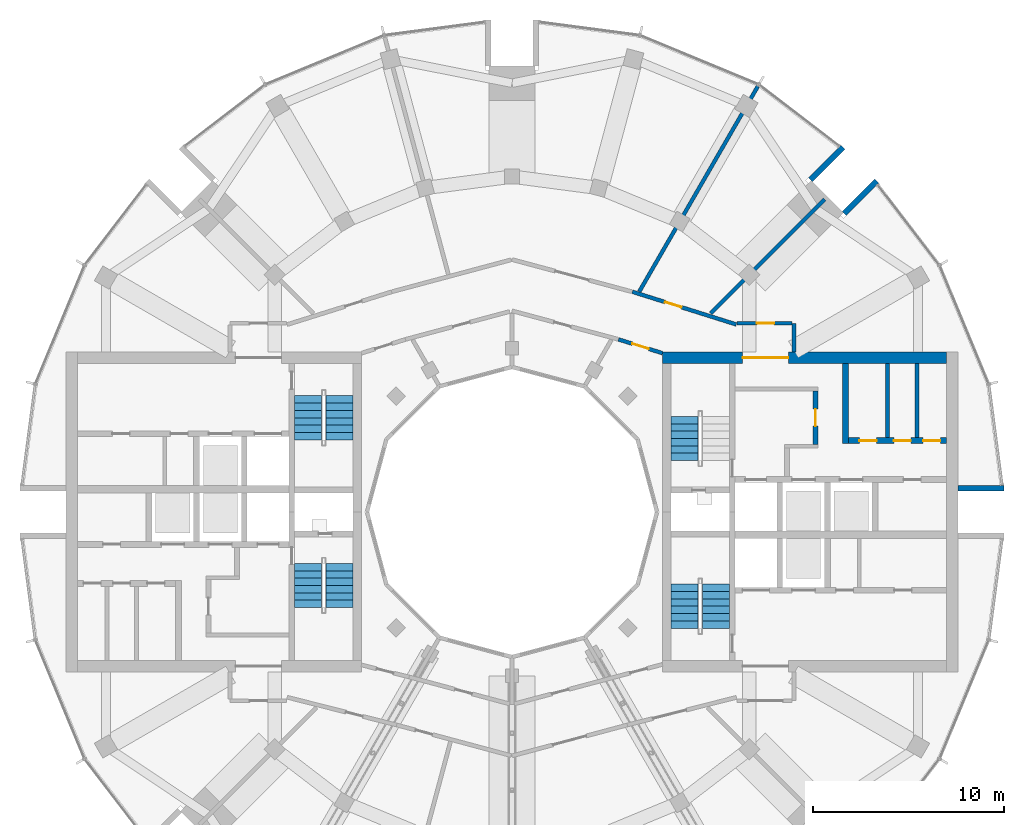
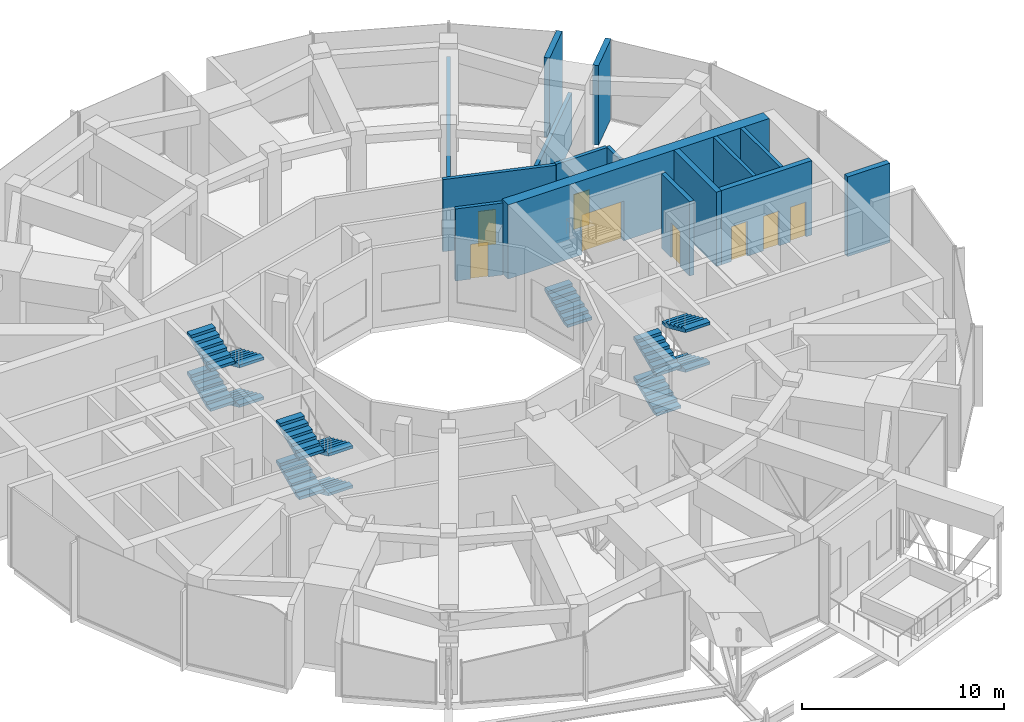
# One storey, part 14 of 17: 15 walls, 13 stair flights, 8 doors, 8 openings, 4 elements without a shape of their own.
"""IFC4 building model written with IfcOpenShell, lengths in metres."""

from ifc_helpers import new_model, si_unit, direction, frame, frame_2d, origin, place, context, subcontext, project, spatial, polyline, rectangle, outline, extrude, material, layer, layer_set, type_object, element, fill, aggregate, save


model = new_model("IFC4")

# Units and contexts
model_context = context("Model", 3, precision=1e-05, world=origin(), true_north=direction((0.0, 1.0)))
body_context = subcontext(model_context, "Body", "Model", "MODEL_VIEW")
ifc_project = project(units=[si_unit("LENGTHUNIT", "METRE"), si_unit("AREAUNIT", "SQUARE_METRE"), si_unit("VOLUMEUNIT", "CUBIC_METRE"), si_unit("PLANEANGLEUNIT", "RADIAN"), si_unit("MASSUNIT", "GRAM", prefix="KILO")], contexts=[model_context])

# Site, building, storey
site_placement = place(None, origin())
site = spatial("IfcSite", under=ifc_project, at=site_placement, CompositionType="ELEMENT")
building_placement = place(site_placement, origin())
building = spatial("IfcBuilding", under=site, at=building_placement, Name="Torre Brocal", CompositionType="ELEMENT")
storey_placement = place(building_placement, frame((0.0, 0.0, 270.89990234375)))
storey = spatial("IfcBuildingStorey", under=building, at=storey_placement, Name="L62", CompositionType="ELEMENT", Elevation=270.89990234375)

# Walls
ifc_material_1 = material(Name="Masonry block", Category="masonry")
ifc_layer_1 = layer(ifc_material_1, 0.199951171875)
ifc_layer_set_1 = layer_set([ifc_layer_1], Name="Masonry block")
wall_type_1 = type_object("IfcWallType", Name="CORE PARTITION 200", PredefinedType="PARTITIONING", material=ifc_layer_set_1)
for number, where, z_axis, x_axis, name in (
    (1, (99.7099609375, 78.89990234375, 0.0), (0.0, 0.0, 1.0), (0.0, 1.0, 0.0), "Wall CP200"),
    (2, (101.2548828125, 78.89990234375, 0.0), (0.0, 0.0, 1.0), (0.0, 1.0, 0.0), "Wall CP200"),
):
    element("IfcWall", number, at=place(storey_placement, frame(where, z_axis=z_axis, x_axis=x_axis)), inside=storey, type_object=wall_type_1, Name=name, PredefinedType="PARTITIONING", context=body_context, shape_type="SweptSolid", body=[
        extrude(rectangle(XDim=3.900146484375, YDim=0.199951171875, at=frame_2d((1.9501953125, 0.0))), origin(), (0.0, 0.0, 1.0), 4.47998046875),
    ])

# Wall, opening, door
ifc_material_2 = material(Name="Concrete C60", Category="concrete")
ifc_layer_2 = layer(ifc_material_2, 0.25)
ifc_layer_set_2 = layer_set([ifc_layer_2], Name="Concrete C60")
wall_type_2 = type_object("IfcWallType", Name="CORE WALL 250 C60", PredefinedType="SHEAR", material=ifc_layer_set_2)
wall_1_placement = place(storey_placement, frame((95.925048828125, 78.550048828125, 0.0), z_axis=(0.0, 0.0, 1.0), x_axis=(0.0, 1.0, 0.0)))
wall_1 = element("IfcWall", 3, at=wall_1_placement, inside=storey, type_object=wall_type_2, Name="Wall CW250-60", PredefinedType="SHEAR", context=body_context, shape_type="SweptSolid", body=[
    extrude(rectangle(XDim=2.800048828125, YDim=0.25, at=frame_2d((1.39990234375, 0.0))), origin(), (0.0, 0.0, 1.0), 4.47998046875),
])
opening_1_placement = place(wall_1_placement, frame((0.949951171875, 0.0, 0.0)))
opening_1 = element("IfcOpeningElement", 4, at=opening_1_placement, cuts=wall_1, Name="Opening E-D26", PredefinedType="OPENING", context=body_context, shape_type="SweptSolid", body=[
    extrude(rectangle(XDim=0.89990234375, YDim=2.10009765625, at=frame_2d((0.449951171875, 1.050048828125))), frame((0.0, 0.135009765625, 0.0), z_axis=(0.0, -1.0, 0.0), x_axis=(1.0, 0.0, 0.0)), (0.0, 0.0, 1.0), 0.27001953125),
])
ifc_material_3 = material(Name="Steel A653", Category="steel")
door_type_1 = type_object("IfcDoorType", Name="LOBBY DOOR FD120 900X2100", OperationType="SINGLE_SWING_RIGHT", PredefinedType="DOOR", material=ifc_material_3)
door_1_placement = place(opening_1_placement, origin())
door_1 = element("IfcDoor", 5, at=door_1_placement, inside=storey, type_object=door_type_1, Name="Door E-D26", OperationType="SINGLE_SWING_LEFT", OverallHeight=2.10009765625, OverallWidth=0.89990234375, PredefinedType="DOOR", context=body_context, shape_type="SweptSolid", body=[
    extrude(rectangle(XDim=0.89990234375, YDim=2.10009765625, at=frame_2d((0.449951171875, 1.050048828125))), frame((0.0, 0.02490234375, 0.0), z_axis=(0.0, -1.0, 0.0), x_axis=(1.0, 0.0, 0.0)), (0.0, 0.0, 1.0), 0.050048828125),
])
fill(opening_1, door_1)

# Wall
ifc_material_4 = material(Name="Concrete C60", Category="concrete")
ifc_layer_3 = layer(ifc_material_4, 0.300048828125)
ifc_layer_set_3 = layer_set([ifc_layer_3], Name="Concrete C60")
wall_type_3 = type_object("IfcWallType", Name="CORE WALL 300 C60", PredefinedType="SHEAR", material=ifc_layer_set_3)
wall_2_placement = place(storey_placement, frame((97.5, 78.60009765625, 0.0), z_axis=(0.0, 0.0, 1.0), x_axis=(0.0, 1.0, 0.0)))
element("IfcWall", 6, at=wall_2_placement, inside=storey, type_object=wall_type_3, Name="Wall CW300-60", PredefinedType="SHEAR", context=body_context, shape_type="SweptSolid", body=[
    extrude(rectangle(XDim=4.199951171875, YDim=0.300048828125, at=frame_2d((2.10009765625, 0.0))), origin(), (0.0, 0.0, 1.0), 4.47998046875),
])

# Wall, openings, doors
wall_3_placement = place(storey_placement, frame((97.64990234375, 78.75, 0.0), z_axis=(0.0, 0.0, 1.0), x_axis=(1.0, 0.0, 0.0)))
wall_3 = element("IfcWall", 7, at=wall_3_placement, inside=storey, type_object=wall_type_3, Name="Wall CW300-60", PredefinedType="SHEAR", context=body_context, shape_type="SweptSolid", body=[
    extrude(rectangle(XDim=5.150146484375, YDim=0.300048828125, at=frame_2d((2.5751953125, 0.0))), origin(), (0.0, 0.0, 1.0), 4.47998046875),
])
opening_2_placement = place(wall_3_placement, frame((0.580078125, 0.0, 0.0)))
opening_2 = element("IfcOpeningElement", 8, at=opening_2_placement, cuts=wall_3, Name="Opening E-D28", PredefinedType="OPENING", context=body_context, shape_type="SweptSolid", body=[
    extrude(rectangle(XDim=0.89990234375, YDim=2.10009765625, at=frame_2d((0.449951171875, 1.050048828125))), frame((0.0, 0.159912109375, 0.0), z_axis=(0.0, -1.0, 0.0), x_axis=(1.0, 0.0, 0.0)), (0.0, 0.0, 1.0), 0.320068359375),
])
opening_3_placement = place(wall_3_placement, frame((2.382568359375, 0.0, 0.0)))
opening_3 = element("IfcOpeningElement", 9, at=opening_3_placement, cuts=wall_3, Name="Opening E-D09", PredefinedType="OPENING", context=body_context, shape_type="SweptSolid", body=[
    extrude(rectangle(XDim=0.89990234375, YDim=2.10009765625, at=frame_2d((0.449951171875, 1.050048828125))), frame((0.0, 0.159912109375, 0.0), z_axis=(0.0, -1.0, 0.0), x_axis=(1.0, 0.0, 0.0)), (0.0, 0.0, 1.0), 0.320068359375),
])
opening_4_placement = place(wall_3_placement, frame((3.927490234375, 0.0, 0.0)))
opening_4 = element("IfcOpeningElement", 10, at=opening_4_placement, cuts=wall_3, Name="Opening E-D10", PredefinedType="OPENING", context=body_context, shape_type="SweptSolid", body=[
    extrude(rectangle(XDim=0.89990234375, YDim=2.10009765625, at=frame_2d((0.449951171875, 1.050048828125))), frame((0.0, 0.159912109375, 0.0), z_axis=(0.0, -1.0, 0.0), x_axis=(1.0, 0.0, 0.0)), (0.0, 0.0, 1.0), 0.320068359375),
])
ifc_material_5 = material(Name="Steel A653", Category="steel")
door_type_2 = type_object("IfcDoorType", Name="ROOM DOOR FD30S 900X2100", OperationType="SINGLE_SWING_LEFT", PredefinedType="DOOR", material=ifc_material_5)
door_2_placement = place(opening_2_placement, origin())
door_2 = element("IfcDoor", 11, at=door_2_placement, inside=storey, type_object=door_type_2, Name="Door E-D28", OperationType="SINGLE_SWING_RIGHT", OverallHeight=2.10009765625, OverallWidth=0.89990234375, PredefinedType="DOOR", context=body_context, shape_type="SweptSolid", body=[
    extrude(rectangle(XDim=0.89990234375, YDim=2.10009765625, at=frame_2d((0.449951171875, 1.050048828125))), frame((0.0, 0.02490234375, 0.0), z_axis=(0.0, -1.0, 0.0), x_axis=(1.0, 0.0, 0.0)), (0.0, 0.0, 1.0), 0.050048828125),
])
fill(opening_2, door_2)
door_3_placement = place(opening_3_placement, origin())
door_3 = element("IfcDoor", 12, at=door_3_placement, inside=storey, type_object=door_type_2, Name="Door E-D09", OperationType="SINGLE_SWING_RIGHT", OverallHeight=2.10009765625, OverallWidth=0.89990234375, PredefinedType="DOOR", context=body_context, shape_type="SweptSolid", body=[
    extrude(rectangle(XDim=0.89990234375, YDim=2.10009765625, at=frame_2d((0.449951171875, 1.050048828125))), frame((0.0, 0.02490234375, 0.0), z_axis=(0.0, -1.0, 0.0), x_axis=(1.0, 0.0, 0.0)), (0.0, 0.0, 1.0), 0.050048828125),
])
fill(opening_3, door_3)
door_4_placement = place(opening_4_placement, origin())
door_4 = element("IfcDoor", 13, at=door_4_placement, inside=storey, type_object=door_type_2, Name="Door E-D10", OperationType="SINGLE_SWING_LEFT", OverallHeight=2.10009765625, OverallWidth=0.89990234375, PredefinedType="DOOR", context=body_context, shape_type="SweptSolid", body=[
    extrude(rectangle(XDim=0.89990234375, YDim=2.10009765625, at=frame_2d((0.449951171875, 1.050048828125))), frame((0.0, 0.02490234375, 0.0), z_axis=(0.0, -1.0, 0.0), x_axis=(1.0, 0.0, 0.0)), (0.0, 0.0, 1.0), 0.050048828125),
])
fill(opening_4, door_4)

# Wall, opening, door
ifc_material_6 = material(Name="Concrete C60", Category="concrete")
ifc_layer_4 = layer(ifc_material_6, 0.60009765625)
ifc_layer_set_4 = layer_set([ifc_layer_4], Name="Concrete C60")
wall_type_4 = type_object("IfcWallType", Name="CORE WALL 600 C60", PredefinedType="SHEAR", material=ifc_layer_set_4)
wall_4_placement = place(storey_placement, frame((87.89990234375, 83.10009765625, 0.0), z_axis=(0.0, 0.0, 1.0), x_axis=(1.0, 0.0, 0.0)))
wall_4 = element("IfcWall", 14, at=wall_4_placement, inside=storey, type_object=wall_type_4, Name="Wall CW600-60", PredefinedType="SHEAR", context=body_context, shape_type="SweptSolid", body=[
    extrude(rectangle(XDim=14.900146484375, YDim=0.60009765625, at=frame_2d((7.4501953125, 0.0))), origin(), (0.0, 0.0, 1.0), 4.47998046875),
])
opening_5_placement = place(wall_4_placement, frame((4.199951171875, 0.0, 0.0)))
opening_5 = element("IfcOpeningElement", 15, at=opening_5_placement, cuts=wall_4, Name="Opening E-D34", PredefinedType="OPENING", context=body_context, shape_type="SweptSolid", body=[
    extrude(rectangle(XDim=2.39990234375, YDim=2.39990234375, at=frame_2d((1.199951171875, 1.199951171875))), frame((0.0, 0.31005859375, 0.0), z_axis=(0.0, -1.0, 0.0), x_axis=(1.0, 0.0, 0.0)), (0.0, 0.0, 1.0), 0.6201171875),
])
ifc_material_7 = material(Name="Steel A653", Category="steel")
door_type_3 = type_object("IfcDoorType", Name="DOUBLE FIRE DOOR FD90 2400X2400", OperationType="DOUBLE_DOOR_SINGLE_SWING", PredefinedType="DOOR", material=ifc_material_7)
door_5_placement = place(opening_5_placement, frame((2.39990234375, 0.0, 0.0), z_axis=(0.0, 0.0, 1.0), x_axis=(-1.0, 0.0, 0.0)))
door_5 = element("IfcDoor", 16, at=door_5_placement, inside=storey, type_object=door_type_3, Name="Door E-D34", OperationType="DOUBLE_DOOR_SINGLE_SWING", OverallHeight=2.39990234375, OverallWidth=2.39990234375, PredefinedType="DOOR", context=body_context, shape_type="SweptSolid", body=[
    extrude(rectangle(XDim=2.39990234375, YDim=2.39990234375, at=frame_2d((1.199951171875, 1.199951171875))), frame((0.0, 0.02490234375, 0.0), z_axis=(0.0, -1.0, 0.0), x_axis=(1.0, 0.0, 0.0)), (0.0, 0.0, 1.0), 0.050048828125),
])
fill(opening_5, door_5)

# Walls
ifc_material_8 = material(Name="Concrete C60", Category="concrete")
ifc_layer_5 = layer(ifc_material_8, 0.300048828125)
ifc_layer_set_5 = layer_set([ifc_layer_5], Name="Concrete C60")
wall_type_5 = type_object("IfcWallType", Name="NOTCH RETURN WALL 300 C60", PredefinedType="NOTDEFINED", material=ifc_layer_set_5)
for number, where, z_axis, x_axis, name in (
    (17, (103.39990234375, 76.25, 0.0), (0.0, 0.0, 1.0), (1.0, 0.0, 0.0), "NOTCH RETURN WALL"),
    (18, (97.43017578125, 90.662353515625, 0.0), (0.0, 0.0, 1.0), (0.707106781187, 0.707106781187, 0.0), "NOTCH RETURN WALL"),
    (19, (95.662353515625, 92.43017578125, 0.0), (0.0, 0.0, 1.0), (0.707106781187, 0.707106781187, 0.0), "NOTCH RETURN WALL"),
):
    element("IfcWall", number, at=place(storey_placement, frame(where, z_axis=z_axis, x_axis=x_axis)), inside=storey, type_object=wall_type_5, Name=name, PredefinedType="NOTDEFINED", context=body_context, shape_type="SweptSolid", body=[
        extrude(rectangle(XDim=2.415771484375, YDim=0.300048828125, at=frame_2d((1.2080078125, 0.0))), origin(), (0.0, 0.0, 1.0), 4.800048828125),
    ])

# Wall, opening, door
ifc_material_9 = material(Name="Gypsum board", Category="Gypsum")
ifc_layer_6 = layer(ifc_material_9, 0.199951171875)
ifc_layer_set_6 = layer_set([ifc_layer_6], Name="Gypsum board")
wall_type_6 = type_object("IfcWallType", Name="PARTITION 200 EI60", PredefinedType="PARTITIONING", material=ifc_layer_set_6)
wall_5_placement = place(storey_placement, frame((85.5869140625, 84.056884765625, 0.0), z_axis=(0.0, 0.0, 1.0), x_axis=(0.954239513179, -0.299043393987, 0.0)))
wall_5 = element("IfcWall", 20, at=wall_5_placement, inside=storey, type_object=wall_type_6, Name="CORRIDOR WALL", PredefinedType="PARTITIONING", context=body_context, shape_type="SweptSolid", body=[
    extrude(rectangle(XDim=2.423828125, YDim=0.199951171875, at=frame_2d((1.2119140625, 0.0))), origin(), (0.0, 0.0, 1.0), 4.35009765625),
])
opening_6_placement = place(wall_5_placement, frame((0.761962890625, 0.0, 0.0)))
opening_6 = element("IfcOpeningElement", 21, at=opening_6_placement, cuts=wall_5, Name="Opening P01-D06", PredefinedType="OPENING", context=body_context, shape_type="SweptSolid", body=[
    extrude(rectangle(XDim=0.89990234375, YDim=2.10009765625, at=frame_2d((0.449951171875, 1.050048828125))), frame((0.0, 0.10986328125, 0.0), z_axis=(0.0, -1.0, 0.0), x_axis=(1.0, 0.0, 0.0)), (0.0, 0.0, 1.0), 0.219970703125),
])
ifc_material_10 = material(Name="Timber", Category="wood")
door_type_4 = type_object("IfcDoorType", Name="ROOM DOOR 900X2100", OperationType="SINGLE_SWING_LEFT", PredefinedType="DOOR", material=ifc_material_10)
door_6_placement = place(opening_6_placement, frame((0.89990234375, 0.0, 0.0), z_axis=(0.0, 0.0, 1.0), x_axis=(-1.0, 0.0, 0.0)))
door_6 = element("IfcDoor", 22, at=door_6_placement, inside=storey, type_object=door_type_4, Name="P01-D06", OperationType="SINGLE_SWING_LEFT", OverallHeight=2.10009765625, OverallWidth=0.89990234375, PredefinedType="DOOR", context=body_context, shape_type="SweptSolid", body=[
    extrude(rectangle(XDim=0.89990234375, YDim=2.10009765625, at=frame_2d((0.449951171875, 1.050048828125))), frame((0.0, 0.02490234375, 0.0), z_axis=(0.0, -1.0, 0.0), x_axis=(1.0, 0.0, 0.0)), (0.0, 0.0, 1.0), 0.050048828125),
])
fill(opening_6, door_6)

wall_6_placement = place(storey_placement, frame((86.313720703125, 86.555908203125, 0.0), z_axis=(0.0, 0.0, 1.0), x_axis=(0.953912400139, -0.300085209334, 0.0)))
wall_6 = element("IfcWall", 23, at=wall_6_placement, inside=storey, type_object=wall_type_6, Name="CORRIDOR WALL", PredefinedType="PARTITIONING", context=body_context, shape_type="SweptSolid", body=[
    extrude(rectangle(XDim=5.719482421875, YDim=0.199951171875, at=frame_2d((2.85986328125, 0.0))), origin(), (0.0, 0.0, 1.0), 4.35009765625),
])
opening_7_placement = place(wall_6_placement, frame((1.800537109375, 0.0, 0.0)))
opening_7 = element("IfcOpeningElement", 24, at=opening_7_placement, cuts=wall_6, Name="Opening P01-D02", PredefinedType="OPENING", context=body_context, shape_type="SweptSolid", body=[
    extrude(rectangle(XDim=0.89990234375, YDim=2.10009765625, at=frame_2d((0.449951171875, 1.050048828125))), frame((0.0, 0.10986328125, 0.0), z_axis=(0.0, -1.0, 0.0), x_axis=(1.0, 0.0, 0.0)), (0.0, 0.0, 1.0), 0.219970703125),
])
door_7_placement = place(opening_7_placement, origin())
door_7 = element("IfcDoor", 25, at=door_7_placement, inside=storey, type_object=door_type_4, Name="P01-D02", OperationType="SINGLE_SWING_LEFT", OverallHeight=2.10009765625, OverallWidth=0.89990234375, PredefinedType="DOOR", context=body_context, shape_type="SweptSolid", body=[
    extrude(rectangle(XDim=0.89990234375, YDim=2.10009765625, at=frame_2d((0.449951171875, 1.050048828125))), frame((0.0, 0.02490234375, 0.0), z_axis=(0.0, -1.0, 0.0), x_axis=(1.0, 0.0, 0.0)), (0.0, 0.0, 1.0), 0.050048828125),
])
fill(opening_7, door_7)

wall_7_placement = place(storey_placement, frame((91.800048828125, 84.89990234375, 0.0), z_axis=(0.0, 0.0, 1.0), x_axis=(1.0, 0.0, 0.0)))
wall_7 = element("IfcWall", 26, at=wall_7_placement, inside=storey, type_object=wall_type_6, Name="CORRIDOR WALL", PredefinedType="PARTITIONING", context=body_context, shape_type="SweptSolid", body=[
    extrude(rectangle(XDim=2.89990234375, YDim=0.199951171875, at=frame_2d((1.449951171875, 0.0))), origin(), (0.0, 0.0, 1.0), 4.35009765625),
])
opening_8_placement = place(wall_7_placement, frame((1.050048828125, 0.0, 0.0)))
opening_8 = element("IfcOpeningElement", 27, at=opening_8_placement, cuts=wall_7, Name="Opening P01-D01", PredefinedType="OPENING", context=body_context, shape_type="SweptSolid", body=[
    extrude(rectangle(XDim=0.89990234375, YDim=2.10009765625, at=frame_2d((0.449951171875, 1.050048828125))), frame((0.0, 0.10986328125, 0.0), z_axis=(0.0, -1.0, 0.0), x_axis=(1.0, 0.0, 0.0)), (0.0, 0.0, 1.0), 0.219970703125),
])
door_8_placement = place(opening_8_placement, origin())
door_8 = element("IfcDoor", 28, at=door_8_placement, inside=storey, type_object=door_type_4, Name="P01-D01", OperationType="SINGLE_SWING_LEFT", OverallHeight=2.10009765625, OverallWidth=0.89990234375, PredefinedType="DOOR", context=body_context, shape_type="SweptSolid", body=[
    extrude(rectangle(XDim=0.89990234375, YDim=2.10009765625, at=frame_2d((0.449951171875, 1.050048828125))), frame((0.0, 0.02490234375, 0.0), z_axis=(0.0, -1.0, 0.0), x_axis=(1.0, 0.0, 0.0)), (0.0, 0.0, 1.0), 0.050048828125),
])
fill(opening_8, door_8)

# Walls
wall_8_placement = place(storey_placement, frame((94.800048828125, 83.40087890625, 0.0), z_axis=(0.0, 0.0, 1.0), x_axis=(0.0, 1.0, 0.0)))
element("IfcWall", 29, at=wall_8_placement, inside=storey, type_object=wall_type_6, Name="CORRIDOR WALL", PredefinedType="PARTITIONING", context=body_context, shape_type="SweptSolid", body=[
    extrude(rectangle(XDim=1.4990234375, YDim=0.199951171875, at=frame_2d((0.74951171875, 0.0))), origin(), (0.0, 0.0, 1.0), 4.35009765625),
])
ifc_material_11 = material(Name="Gypsum board", Category="Gypsum")
ifc_layer_7 = layer(ifc_material_11, 0.199951171875)
ifc_layer_set_7 = layer_set([ifc_layer_7], Name="Gypsum board")
wall_type_7 = type_object("IfcWallType", Name="PARTITION 200 EI60 UNDER BEAM 1720", PredefinedType="PARTITIONING", material=ifc_layer_set_7)
wall_9_placement = place(storey_placement, frame((90.417236328125, 85.4150390625, 0.0), z_axis=(0.0, 0.0, 1.0), x_axis=(0.707164431244, 0.707049126429, 0.0)))
element("IfcWall", 30, at=wall_9_placement, inside=storey, type_object=wall_type_7, Name="PARTY PARTITION", PredefinedType="PARTITIONING", context=body_context, shape_type="SweptSolid", body=[
    extrude(rectangle(XDim=8.469482421875, YDim=0.199951171875, at=frame_2d((4.23486328125, 0.0))), origin(), (0.0, 0.0, 1.0), 3.080078125),
])
ifc_material_12 = material(Name="Gypsum board", Category="Gypsum")
ifc_layer_8 = layer(ifc_material_12, 0.199951171875)
ifc_layer_set_8 = layer_set([ifc_layer_8], Name="Gypsum board")
wall_type_8 = type_object("IfcWallType", Name="PARTITION 200 EI60 UNDER BEAM 1920", PredefinedType="PARTITIONING", material=ifc_layer_set_8)
wall_10_placement = place(storey_placement, frame((86.677490234375, 86.5634765625, 0.0), z_axis=(0.0, 0.0, 1.0), x_axis=(0.500143584568, 0.865942489324, 0.0)))
element("IfcWall", 31, at=wall_10_placement, inside=storey, type_object=wall_type_8, Name="PARTY PARTITION", PredefinedType="PARTITIONING", context=body_context, shape_type="SweptSolid", body=[
    extrude(rectangle(XDim=12.444580078125, YDim=0.199951171875, at=frame_2d((6.22216796875, 0.0))), origin(), (0.0, 0.0, 1.0), 2.880126953125),
])

# Stair, stair flight
ifc_material_13 = material(Name="Concrete C50", Category="concrete")
stair_type = type_object("IfcStairType", Name="EXIT STAIR", PredefinedType="HALF_TURN_STAIR", material=ifc_material_13)
stair_1_placement = place(storey_placement, origin())
stair_1 = element("IfcStair", 32, at=stair_1_placement, inside=storey, type_object=stair_type, Name="EXIT STAIR ST1", PredefinedType="HALF_TURN_STAIR")
ifc_material_14 = material(Name="Concrete C50", Category="concrete")
ifc_layer_9 = layer(ifc_material_14, 0.14990234375)
ifc_layer_set_9 = layer_set([ifc_layer_9], Name="Concrete C50")
stair_flight_type = type_object("IfcStairFlightType", Name="STAIR FLIGHT", PredefinedType="STRAIGHT", material=ifc_layer_set_9)
stair_flight_1_placement = place(storey_placement, frame((89.050048828125, 77.699951171875, 0.0), z_axis=(0.0, 0.0, 1.0), x_axis=(0.0, 1.0, 0.0)))
stair_flight_1 = element("IfcStairFlight", 33, at=stair_flight_1_placement, type_object=stair_flight_type, Name="ST1 flight 1", NumberOfRisers=7, NumberOfTreads=6, PredefinedType="STRAIGHT", RiserHeight=0.171428571, TreadLength=0.385, context=body_context, shape_type="SweptSolid", body=[
    extrude(outline(polyline([(0.0, 0.0), (0.0, 0.17138671875), (0.385009765625, 0.17138671875), (0.385009765625, 0.3427734375), (0.77001953125, 0.3427734375), (0.77001953125, 0.514404296875), (1.155029296875, 0.514404296875), (1.155029296875, 0.685791015625), (1.5400390625, 0.685791015625), (1.5400390625, 0.857177734375), (1.925048828125, 0.857177734375), (1.925048828125, 1.028564453125), (2.31005859375, 1.028564453125), (2.31005859375, 1.199951171875), (2.31005859375, 0.864501953125), (0.368408203125, 0.0), (0.0, 0.0)])), frame((0.0, 0.699951171875, 0.0), z_axis=(0.0, -1.0, 0.0), x_axis=(1.0, 0.0, 0.0)), (0.0, 0.0, 1.0), 1.39990234375),
])
aggregate(stair_1, [stair_flight_1])

# Stair, stair flights
stair_2_placement = place(storey_placement, origin())
stair_2 = element("IfcStair", 34, at=stair_2_placement, inside=storey, type_object=stair_type, Name="EXIT STAIR ST2", PredefinedType="HALF_TURN_STAIR")
stair_flight_2_placement = place(storey_placement, frame((89.050048828125, 68.89990234375, 0.0), z_axis=(0.0, 0.0, 1.0), x_axis=(0.0, 1.0, 0.0)))
stair_flight_2 = element("IfcStairFlight", 35, at=stair_flight_2_placement, type_object=stair_flight_type, Name="ST2 flight 1", NumberOfRisers=7, NumberOfTreads=6, PredefinedType="STRAIGHT", RiserHeight=0.171428571, TreadLength=0.385, context=body_context, shape_type="SweptSolid", body=[
    extrude(outline(polyline([(0.0, 0.0), (0.0, 0.17138671875), (0.385009765625, 0.17138671875), (0.385009765625, 0.3427734375), (0.77001953125, 0.3427734375), (0.77001953125, 0.514404296875), (1.155029296875, 0.514404296875), (1.155029296875, 0.685791015625), (1.5400390625, 0.685791015625), (1.5400390625, 0.857177734375), (1.925048828125, 0.857177734375), (1.925048828125, 1.028564453125), (2.31005859375, 1.028564453125), (2.31005859375, 1.199951171875), (2.31005859375, 0.864501953125), (0.368408203125, 0.0), (0.0, 0.0)])), frame((0.0, 0.699951171875, 0.0), z_axis=(0.0, -1.0, 0.0), x_axis=(1.0, 0.0, 0.0)), (0.0, 0.0, 1.0), 1.39990234375),
])
stair_flight_3_placement = place(storey_placement, frame((90.699951171875, 71.2099609375, 1.2001953125), z_axis=(0.0, 0.0, 1.0), x_axis=(0.0, -1.0, 0.0)))
stair_flight_3 = element("IfcStairFlight", 36, at=stair_flight_3_placement, type_object=stair_flight_type, Name="ST2 flight 2", NumberOfRisers=7, NumberOfTreads=6, PredefinedType="STRAIGHT", RiserHeight=0.171428571, TreadLength=0.385, context=body_context, shape_type="SweptSolid", body=[
    extrude(outline(polyline([(0.0, 0.0), (0.0, 0.17138671875), (0.385009765625, 0.17138671875), (0.385009765625, 0.3427734375), (0.77001953125, 0.3427734375), (0.77001953125, 0.514404296875), (1.155029296875, 0.514404296875), (1.155029296875, 0.685791015625), (1.5400390625, 0.685791015625), (1.5400390625, 0.857177734375), (1.925048828125, 0.857177734375), (1.925048828125, 1.028564453125), (2.31005859375, 1.028564453125), (2.31005859375, 1.199951171875), (2.31005859375, 0.864501953125), (0.368408203125, 0.0), (0.0, 0.0)])), frame((0.0, 0.699951171875, 0.0), z_axis=(0.0, -1.0, 0.0), x_axis=(1.0, 0.0, 0.0)), (0.0, 0.0, 1.0), 1.39990234375),
])
stair_flight_4_placement = place(storey_placement, frame((89.050048828125, 68.89990234375, 2.400146484375), z_axis=(0.0, 0.0, 1.0), x_axis=(0.0, 1.0, 0.0)))
stair_flight_4 = element("IfcStairFlight", 37, at=stair_flight_4_placement, type_object=stair_flight_type, Name="ST2 flight 3", NumberOfRisers=7, NumberOfTreads=6, PredefinedType="STRAIGHT", RiserHeight=0.171428571, TreadLength=0.385, context=body_context, shape_type="SweptSolid", body=[
    extrude(outline(polyline([(0.0, 0.0), (0.0, 0.17138671875), (0.385009765625, 0.17138671875), (0.385009765625, 0.3427734375), (0.77001953125, 0.3427734375), (0.77001953125, 0.514404296875), (1.155029296875, 0.514404296875), (1.155029296875, 0.685791015625), (1.5400390625, 0.685791015625), (1.5400390625, 0.857177734375), (1.925048828125, 0.857177734375), (1.925048828125, 1.028564453125), (2.31005859375, 1.028564453125), (2.31005859375, 1.199951171875), (2.31005859375, 0.864501953125), (0.368408203125, 0.0), (0.0, 0.0)])), frame((0.0, 0.699951171875, 0.0), z_axis=(0.0, -1.0, 0.0), x_axis=(1.0, 0.0, 0.0)), (0.0, 0.0, 1.0), 1.39990234375),
])
stair_flight_5_placement = place(storey_placement, frame((90.699951171875, 71.2099609375, 3.60009765625), z_axis=(0.0, 0.0, 1.0), x_axis=(0.0, -1.0, 0.0)))
stair_flight_5 = element("IfcStairFlight", 38, at=stair_flight_5_placement, type_object=stair_flight_type, Name="ST2 flight 4", NumberOfRisers=7, NumberOfTreads=6, PredefinedType="STRAIGHT", RiserHeight=0.171428571, TreadLength=0.385, context=body_context, shape_type="SweptSolid", body=[
    extrude(outline(polyline([(0.0, 0.0), (0.0, 0.17138671875), (0.385009765625, 0.17138671875), (0.385009765625, 0.3427734375), (0.77001953125, 0.3427734375), (0.77001953125, 0.514404296875), (1.155029296875, 0.514404296875), (1.155029296875, 0.685791015625), (1.5400390625, 0.685791015625), (1.5400390625, 0.857177734375), (1.925048828125, 0.857177734375), (1.925048828125, 1.028564453125), (2.31005859375, 1.028564453125), (2.31005859375, 1.199951171875), (2.31005859375, 0.864501953125), (0.368408203125, 0.0), (0.0, 0.0)])), frame((0.0, 0.699951171875, 0.0), z_axis=(0.0, -1.0, 0.0), x_axis=(1.0, 0.0, 0.0)), (0.0, 0.0, 1.0), 1.39990234375),
])
aggregate(stair_2, [stair_flight_2, stair_flight_3, stair_flight_4, stair_flight_5])

stair_3_placement = place(storey_placement, origin())
stair_3 = element("IfcStair", 39, at=stair_3_placement, inside=storey, type_object=stair_type, Name="EXIT STAIR ST3", PredefinedType="HALF_TURN_STAIR")
stair_flight_6_placement = place(storey_placement, frame((70.949951171875, 72.300048828125, 0.0), z_axis=(0.0, 0.0, 1.0), x_axis=(0.0, -1.0, 0.0)))
stair_flight_6 = element("IfcStairFlight", 40, at=stair_flight_6_placement, type_object=stair_flight_type, Name="ST3 flight 1", NumberOfRisers=7, NumberOfTreads=6, PredefinedType="STRAIGHT", RiserHeight=0.171428571, TreadLength=0.385, context=body_context, shape_type="SweptSolid", body=[
    extrude(outline(polyline([(0.0, 0.0), (0.0, 0.17138671875), (0.385009765625, 0.17138671875), (0.385009765625, 0.3427734375), (0.77001953125, 0.3427734375), (0.77001953125, 0.514404296875), (1.155029296875, 0.514404296875), (1.155029296875, 0.685791015625), (1.5400390625, 0.685791015625), (1.5400390625, 0.857177734375), (1.925048828125, 0.857177734375), (1.925048828125, 1.028564453125), (2.31005859375, 1.028564453125), (2.31005859375, 1.199951171875), (2.31005859375, 0.864501953125), (0.368408203125, 0.0), (0.0, 0.0)])), frame((0.0, 0.699951171875, 0.0), z_axis=(0.0, -1.0, 0.0), x_axis=(1.0, 0.0, 0.0)), (0.0, 0.0, 1.0), 1.39990234375),
])
stair_flight_7_placement = place(storey_placement, frame((69.300048828125, 69.989990234375, 1.2001953125), z_axis=(0.0, 0.0, 1.0), x_axis=(0.0, 1.0, 0.0)))
stair_flight_7 = element("IfcStairFlight", 41, at=stair_flight_7_placement, type_object=stair_flight_type, Name="ST3 flight 2", NumberOfRisers=7, NumberOfTreads=6, PredefinedType="STRAIGHT", RiserHeight=0.171428571, TreadLength=0.385, context=body_context, shape_type="SweptSolid", body=[
    extrude(outline(polyline([(0.0, 0.0), (0.0, 0.17138671875), (0.385009765625, 0.17138671875), (0.385009765625, 0.3427734375), (0.77001953125, 0.3427734375), (0.77001953125, 0.514404296875), (1.155029296875, 0.514404296875), (1.155029296875, 0.685791015625), (1.5400390625, 0.685791015625), (1.5400390625, 0.857177734375), (1.925048828125, 0.857177734375), (1.925048828125, 1.028564453125), (2.31005859375, 1.028564453125), (2.31005859375, 1.199951171875), (2.31005859375, 0.864501953125), (0.368408203125, 0.0), (0.0, 0.0)])), frame((0.0, 0.699951171875, 0.0), z_axis=(0.0, -1.0, 0.0), x_axis=(1.0, 0.0, 0.0)), (0.0, 0.0, 1.0), 1.39990234375),
])
stair_flight_8_placement = place(storey_placement, frame((70.949951171875, 72.300048828125, 2.400146484375), z_axis=(0.0, 0.0, 1.0), x_axis=(0.0, -1.0, 0.0)))
stair_flight_8 = element("IfcStairFlight", 42, at=stair_flight_8_placement, type_object=stair_flight_type, Name="ST3 flight 3", NumberOfRisers=7, NumberOfTreads=6, PredefinedType="STRAIGHT", RiserHeight=0.171428571, TreadLength=0.385, context=body_context, shape_type="SweptSolid", body=[
    extrude(outline(polyline([(0.0, 0.0), (0.0, 0.17138671875), (0.385009765625, 0.17138671875), (0.385009765625, 0.3427734375), (0.77001953125, 0.3427734375), (0.77001953125, 0.514404296875), (1.155029296875, 0.514404296875), (1.155029296875, 0.685791015625), (1.5400390625, 0.685791015625), (1.5400390625, 0.857177734375), (1.925048828125, 0.857177734375), (1.925048828125, 1.028564453125), (2.31005859375, 1.028564453125), (2.31005859375, 1.199951171875), (2.31005859375, 0.864501953125), (0.368408203125, 0.0), (0.0, 0.0)])), frame((0.0, 0.699951171875, 0.0), z_axis=(0.0, -1.0, 0.0), x_axis=(1.0, 0.0, 0.0)), (0.0, 0.0, 1.0), 1.39990234375),
])
stair_flight_9_placement = place(storey_placement, frame((69.300048828125, 69.989990234375, 3.60009765625), z_axis=(0.0, 0.0, 1.0), x_axis=(0.0, 1.0, 0.0)))
stair_flight_9 = element("IfcStairFlight", 43, at=stair_flight_9_placement, type_object=stair_flight_type, Name="ST3 flight 4", NumberOfRisers=7, NumberOfTreads=6, PredefinedType="STRAIGHT", RiserHeight=0.171428571, TreadLength=0.385, context=body_context, shape_type="SweptSolid", body=[
    extrude(outline(polyline([(0.0, 0.0), (0.0, 0.17138671875), (0.385009765625, 0.17138671875), (0.385009765625, 0.3427734375), (0.77001953125, 0.3427734375), (0.77001953125, 0.514404296875), (1.155029296875, 0.514404296875), (1.155029296875, 0.685791015625), (1.5400390625, 0.685791015625), (1.5400390625, 0.857177734375), (1.925048828125, 0.857177734375), (1.925048828125, 1.028564453125), (2.31005859375, 1.028564453125), (2.31005859375, 1.199951171875), (2.31005859375, 0.864501953125), (0.368408203125, 0.0), (0.0, 0.0)])), frame((0.0, 0.699951171875, 0.0), z_axis=(0.0, -1.0, 0.0), x_axis=(1.0, 0.0, 0.0)), (0.0, 0.0, 1.0), 1.39990234375),
])
aggregate(stair_3, [stair_flight_6, stair_flight_7, stair_flight_8, stair_flight_9])

stair_4_placement = place(storey_placement, origin())
stair_4 = element("IfcStair", 44, at=stair_4_placement, inside=storey, type_object=stair_type, Name="EXIT STAIR ST4", PredefinedType="HALF_TURN_STAIR")
stair_flight_10_placement = place(storey_placement, frame((70.949951171875, 81.10009765625, 0.0), z_axis=(0.0, 0.0, 1.0), x_axis=(0.0, -1.0, 0.0)))
stair_flight_10 = element("IfcStairFlight", 45, at=stair_flight_10_placement, type_object=stair_flight_type, Name="ST4 flight 1", NumberOfRisers=7, NumberOfTreads=6, PredefinedType="STRAIGHT", RiserHeight=0.171428571, TreadLength=0.385, context=body_context, shape_type="SweptSolid", body=[
    extrude(outline(polyline([(0.0, 0.0), (0.0, 0.17138671875), (0.385009765625, 0.17138671875), (0.385009765625, 0.3427734375), (0.77001953125, 0.3427734375), (0.77001953125, 0.514404296875), (1.155029296875, 0.514404296875), (1.155029296875, 0.685791015625), (1.5400390625, 0.685791015625), (1.5400390625, 0.857177734375), (1.925048828125, 0.857177734375), (1.925048828125, 1.028564453125), (2.31005859375, 1.028564453125), (2.31005859375, 1.199951171875), (2.31005859375, 0.864501953125), (0.368408203125, 0.0), (0.0, 0.0)])), frame((0.0, 0.699951171875, 0.0), z_axis=(0.0, -1.0, 0.0), x_axis=(1.0, 0.0, 0.0)), (0.0, 0.0, 1.0), 1.39990234375),
])
stair_flight_11_placement = place(storey_placement, frame((69.300048828125, 78.7900390625, 1.2001953125), z_axis=(0.0, 0.0, 1.0), x_axis=(0.0, 1.0, 0.0)))
stair_flight_11 = element("IfcStairFlight", 46, at=stair_flight_11_placement, type_object=stair_flight_type, Name="ST4 flight 2", NumberOfRisers=7, NumberOfTreads=6, PredefinedType="STRAIGHT", RiserHeight=0.171428571, TreadLength=0.385, context=body_context, shape_type="SweptSolid", body=[
    extrude(outline(polyline([(0.0, 0.0), (0.0, 0.17138671875), (0.385009765625, 0.17138671875), (0.385009765625, 0.3427734375), (0.77001953125, 0.3427734375), (0.77001953125, 0.514404296875), (1.155029296875, 0.514404296875), (1.155029296875, 0.685791015625), (1.5400390625, 0.685791015625), (1.5400390625, 0.857177734375), (1.925048828125, 0.857177734375), (1.925048828125, 1.028564453125), (2.31005859375, 1.028564453125), (2.31005859375, 1.199951171875), (2.31005859375, 0.864501953125), (0.368408203125, 0.0), (0.0, 0.0)])), frame((0.0, 0.699951171875, 0.0), z_axis=(0.0, -1.0, 0.0), x_axis=(1.0, 0.0, 0.0)), (0.0, 0.0, 1.0), 1.39990234375),
])
stair_flight_12_placement = place(storey_placement, frame((70.949951171875, 81.10009765625, 2.400146484375), z_axis=(0.0, 0.0, 1.0), x_axis=(0.0, -1.0, 0.0)))
stair_flight_12 = element("IfcStairFlight", 47, at=stair_flight_12_placement, type_object=stair_flight_type, Name="ST4 flight 3", NumberOfRisers=7, NumberOfTreads=6, PredefinedType="STRAIGHT", RiserHeight=0.171428571, TreadLength=0.385, context=body_context, shape_type="SweptSolid", body=[
    extrude(outline(polyline([(0.0, 0.0), (0.0, 0.17138671875), (0.385009765625, 0.17138671875), (0.385009765625, 0.3427734375), (0.77001953125, 0.3427734375), (0.77001953125, 0.514404296875), (1.155029296875, 0.514404296875), (1.155029296875, 0.685791015625), (1.5400390625, 0.685791015625), (1.5400390625, 0.857177734375), (1.925048828125, 0.857177734375), (1.925048828125, 1.028564453125), (2.31005859375, 1.028564453125), (2.31005859375, 1.199951171875), (2.31005859375, 0.864501953125), (0.368408203125, 0.0), (0.0, 0.0)])), frame((0.0, 0.699951171875, 0.0), z_axis=(0.0, -1.0, 0.0), x_axis=(1.0, 0.0, 0.0)), (0.0, 0.0, 1.0), 1.39990234375),
])
stair_flight_13_placement = place(storey_placement, frame((69.300048828125, 78.7900390625, 3.60009765625), z_axis=(0.0, 0.0, 1.0), x_axis=(0.0, 1.0, 0.0)))
stair_flight_13 = element("IfcStairFlight", 48, at=stair_flight_13_placement, type_object=stair_flight_type, Name="ST4 flight 4", NumberOfRisers=7, NumberOfTreads=6, PredefinedType="STRAIGHT", RiserHeight=0.171428571, TreadLength=0.385, context=body_context, shape_type="SweptSolid", body=[
    extrude(outline(polyline([(0.0, 0.0), (0.0, 0.17138671875), (0.385009765625, 0.17138671875), (0.385009765625, 0.3427734375), (0.77001953125, 0.3427734375), (0.77001953125, 0.514404296875), (1.155029296875, 0.514404296875), (1.155029296875, 0.685791015625), (1.5400390625, 0.685791015625), (1.5400390625, 0.857177734375), (1.925048828125, 0.857177734375), (1.925048828125, 1.028564453125), (2.31005859375, 1.028564453125), (2.31005859375, 1.199951171875), (2.31005859375, 0.864501953125), (0.368408203125, 0.0), (0.0, 0.0)])), frame((0.0, 0.699951171875, 0.0), z_axis=(0.0, -1.0, 0.0), x_axis=(1.0, 0.0, 0.0)), (0.0, 0.0, 1.0), 1.39990234375),
])
aggregate(stair_4, [stair_flight_10, stair_flight_11, stair_flight_12, stair_flight_13])

save(model, "model.ifc")
